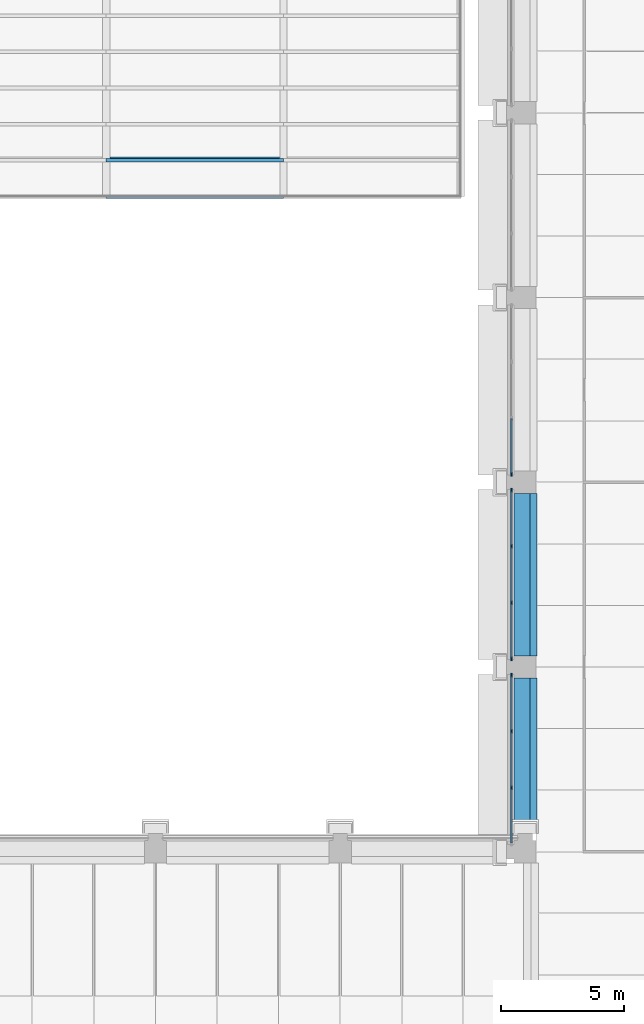
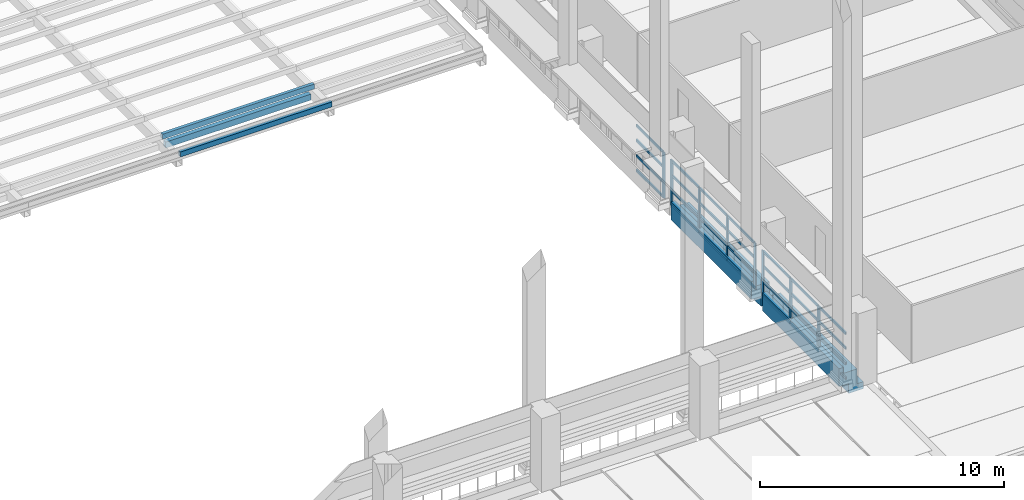
# One storey, part 22 of 67: 38 members, 3 beams, 3 elements without a shape of their own.
"""IFC4 building model written with IfcOpenShell, lengths in metres."""

from ifc_helpers import new_model, si_unit, direction, frame, origin, origin_2d, place, context, subcontext, project, spatial, polyline, rectangle, hollow_rectangle, outline, extrude, material, layer, layer_set, material_profile, profile_set, type_object, element, aggregate, save


model = new_model("IFC4")

# Units and contexts
model_context = context("Model", 3, precision=1e-05, world=origin(), true_north=direction((0.0, 1.0)))
body_context = subcontext(model_context, "Body", "Model", "MODEL_VIEW")
ifc_project = project(units=[si_unit("LENGTHUNIT", "METRE"), si_unit("AREAUNIT", "SQUARE_METRE"), si_unit("VOLUMEUNIT", "CUBIC_METRE"), si_unit("PLANEANGLEUNIT", "RADIAN"), si_unit("MASSUNIT", "GRAM", prefix="KILO")], contexts=[model_context])

# Site, building, storey
site_placement = place(None, origin())
site = spatial("IfcSite", under=ifc_project, at=site_placement, CompositionType="ELEMENT")
building_placement = place(site_placement, origin())
building = spatial("IfcBuilding", under=site, at=building_placement, Name="Cour d'Honneur Mobility Palace", CompositionType="ELEMENT")
storey_placement = place(building_placement, frame((0.0, 0.0, 4.5)))
storey = spatial("IfcBuildingStorey", under=building, at=storey_placement, Name="L01", CompositionType="ELEMENT", Elevation=4.5)

# Members
ifc_material_1 = material(Name="Steel S355", Category="steel")
ifc_material_profile_1 = material_profile(ifc_material_1, hollow_rectangle(XDim=0.14990234375, YDim=0.25, WallThickness=0.010009765625, at=origin_2d()), Name="RHS 250x150x10")
ifc_profile_set_1 = profile_set([ifc_material_profile_1], Name="Steel S355")
member_type_1 = type_object("IfcMemberType", Name="Canopy purlin RHS 250x150x10", PredefinedType="PURLIN", material=ifc_profile_set_1)
for number, where, z_axis, x_axis, name in (
    (1, (127.89990234375, 89.0, 1.125), (1.0, 0.0, 0.0), (0.0, 1.0, 0.0), "Canopy purlin FCP-E1.4"),
    (2, (127.89990234375, 90.46875, 1.125), (1.0, 0.0, 0.0), (0.0, 1.0, 0.0), "Canopy purlin FCP-E2.4"),
):
    element("IfcMember", number, at=place(storey_placement, frame(where, z_axis=z_axis, x_axis=x_axis)), inside=storey, type_object=member_type_1, Name=name, PredefinedType="PURLIN", context=body_context, shape_type="SweptSolid", body=[
        extrude(hollow_rectangle(XDim=0.14990234375, YDim=0.25, WallThickness=0.010009765625, at=origin_2d()), origin(), (0.0, 0.0, 1.0), 7.2001953125),
    ])

# Beam
ifc_material_2 = material(Name="Steel S355", Category="steel")
ifc_material_profile_2 = material_profile(ifc_material_2, hollow_rectangle(XDim=0.199951171875, YDim=0.300048828125, WallThickness=0.012451171875, at=origin_2d()), Name="RHS 300x200x12.5")
ifc_profile_set_2 = profile_set([ifc_material_profile_2], Name="Steel S355")
beam_type_1 = type_object("IfcBeamType", Name="Canopy tie beam RHS 300x200x12.5", PredefinedType="BEAM", material=ifc_profile_set_2)
beam_1_placement = place(storey_placement, frame((128.06201171875, 90.5, 0.64990234375), z_axis=(1.0, 0.0, 0.0), x_axis=(0.0, 1.0, 0.0)))
element("IfcBeam", 3, at=beam_1_placement, inside=storey, type_object=beam_type_1, Name="Canopy tie beam FCT-E1.4", PredefinedType="BEAM", context=body_context, shape_type="SweptSolid", body=[
    extrude(hollow_rectangle(XDim=0.199951171875, YDim=0.300048828125, WallThickness=0.012451171875, at=origin_2d()), origin(), (0.0, 0.0, 1.0), 6.8759765625),
])

# Curtain wall, member
ifc_material_3 = material(Name="Aluminium and glass", Category="aluminium")
ifc_layer = layer(ifc_material_3, 0.10009765625)
ifc_layer_set = layer_set([ifc_layer], Name="Aluminium and glass")
curtain_wall_type = type_object("IfcCurtainWallType", Name="Curtain wall run", PredefinedType="NOTDEFINED", material=ifc_layer_set)
curtain_wall_1_placement = place(storey_placement, origin())
curtain_wall_1 = element("IfcCurtainWall", 4, at=curtain_wall_1_placement, inside=storey, type_object=curtain_wall_type, Name="Curtain wall CW-48", PredefinedType="NOTDEFINED")
ifc_material_4 = material(Name="Aluminium", Category="aluminium")
ifc_material_profile_3 = material_profile(ifc_material_4, rectangle(XDim=0.06005859375, YDim=0.159912109375, at=origin_2d()), Name="Curtain wall mullion")
ifc_profile_set_3 = profile_set([ifc_material_profile_3], Name="Aluminium")
member_type_2 = type_object("IfcMemberType", Name="Curtain wall mullion", PredefinedType="MULLION", material=ifc_profile_set_3)
member_1_placement = place(storey_placement, frame((144.35009765625, 77.72998046875, 0.0), z_axis=(0.0, 0.0, 1.0), x_axis=(1.0, 0.0, 0.0)))
member_1 = element("IfcMember", 5, at=member_1_placement, type_object=member_type_2, Name="CW-48 mullion 4", PredefinedType="MULLION", context=body_context, shape_type="SweptSolid", body=[
    extrude(rectangle(XDim=0.06005859375, YDim=0.159912109375, at=origin_2d()), origin(), (0.0, 0.0, 1.0), 2.300048828125),
])

# Curtain wall, members
curtain_wall_2_placement = place(storey_placement, origin())
curtain_wall_2 = element("IfcCurtainWall", 6, at=curtain_wall_2_placement, inside=storey, type_object=curtain_wall_type, Name="Curtain wall CW-49", PredefinedType="NOTDEFINED")
member_2_placement = place(storey_placement, frame((144.35009765625, 77.070068359375, 0.0), z_axis=(0.0, 0.0, 1.0), x_axis=(1.0, 0.0, 0.0)))
member_2 = element("IfcMember", 7, at=member_2_placement, type_object=member_type_2, Name="CW-49 mullion 1", PredefinedType="MULLION", context=body_context, shape_type="SweptSolid", body=[
    extrude(rectangle(XDim=0.06005859375, YDim=0.159912109375, at=origin_2d()), origin(), (0.0, 0.0, 1.0), 2.300048828125),
])
member_3_placement = place(storey_placement, frame((144.35009765625, 74.800048828125, 0.0), z_axis=(0.0, 0.0, 1.0), x_axis=(1.0, 0.0, 0.0)))
member_3 = element("IfcMember", 8, at=member_3_placement, type_object=member_type_2, Name="CW-49 mullion 2", PredefinedType="MULLION", context=body_context, shape_type="SweptSolid", body=[
    extrude(rectangle(XDim=0.06005859375, YDim=0.159912109375, at=origin_2d()), origin(), (0.0, 0.0, 1.0), 2.300048828125),
])
member_4_placement = place(storey_placement, frame((144.35009765625, 72.5, 0.0), z_axis=(0.0, 0.0, 1.0), x_axis=(1.0, 0.0, 0.0)))
member_4 = element("IfcMember", 9, at=member_4_placement, type_object=member_type_2, Name="CW-49 mullion 3", PredefinedType="MULLION", context=body_context, shape_type="SweptSolid", body=[
    extrude(rectangle(XDim=0.06005859375, YDim=0.159912109375, at=origin_2d()), origin(), (0.0, 0.0, 1.0), 2.300048828125),
])
member_5_placement = place(storey_placement, frame((144.35009765625, 70.22998046875, 0.0), z_axis=(0.0, 0.0, 1.0), x_axis=(1.0, 0.0, 0.0)))
member_5 = element("IfcMember", 10, at=member_5_placement, type_object=member_type_2, Name="CW-49 mullion 4", PredefinedType="MULLION", context=body_context, shape_type="SweptSolid", body=[
    extrude(rectangle(XDim=0.06005859375, YDim=0.159912109375, at=origin_2d()), origin(), (0.0, 0.0, 1.0), 2.300048828125),
])

curtain_wall_3_placement = place(storey_placement, origin())
curtain_wall_3 = element("IfcCurtainWall", 11, at=curtain_wall_3_placement, inside=storey, type_object=curtain_wall_type, Name="Curtain wall CW-50", PredefinedType="NOTDEFINED")
member_6_placement = place(storey_placement, frame((144.35009765625, 69.570068359375, 0.0), z_axis=(0.0, 0.0, 1.0), x_axis=(1.0, 0.0, 0.0)))
member_6 = element("IfcMember", 12, at=member_6_placement, type_object=member_type_2, Name="CW-50 mullion 1", PredefinedType="MULLION", context=body_context, shape_type="SweptSolid", body=[
    extrude(rectangle(XDim=0.06005859375, YDim=0.159912109375, at=origin_2d()), origin(), (0.0, 0.0, 1.0), 2.300048828125),
])
member_7_placement = place(storey_placement, frame((144.35009765625, 67.300048828125, 0.0), z_axis=(0.0, 0.0, 1.0), x_axis=(1.0, 0.0, 0.0)))
member_7 = element("IfcMember", 13, at=member_7_placement, type_object=member_type_2, Name="CW-50 mullion 2", PredefinedType="MULLION", context=body_context, shape_type="SweptSolid", body=[
    extrude(rectangle(XDim=0.06005859375, YDim=0.159912109375, at=origin_2d()), origin(), (0.0, 0.0, 1.0), 2.300048828125),
])
member_8_placement = place(storey_placement, frame((144.35009765625, 65.0, 0.0), z_axis=(0.0, 0.0, 1.0), x_axis=(1.0, 0.0, 0.0)))
member_8 = element("IfcMember", 14, at=member_8_placement, type_object=member_type_2, Name="CW-50 mullion 3", PredefinedType="MULLION", context=body_context, shape_type="SweptSolid", body=[
    extrude(rectangle(XDim=0.06005859375, YDim=0.159912109375, at=origin_2d()), origin(), (0.0, 0.0, 1.0), 2.300048828125),
])

# Member
ifc_material_5 = material(Name="Aluminium", Category="aluminium")
ifc_material_profile_4 = material_profile(ifc_material_5, rectangle(XDim=0.06005859375, YDim=0.1201171875, at=origin_2d()), Name="Curtain wall transom")
ifc_profile_set_4 = profile_set([ifc_material_profile_4], Name="Aluminium")
member_type_3 = type_object("IfcMemberType", Name="Curtain wall transom", PredefinedType="USERDEFINED", material=ifc_profile_set_4)
member_9_placement = place(storey_placement, frame((144.35009765625, 79.969970703125, 0.030029296875), z_axis=(0.0, -1.0, 0.0), x_axis=(1.0, 0.0, 0.0)))
member_9 = element("IfcMember", 15, at=member_9_placement, type_object=member_type_3, Name="CW-48 transom 3.1", ObjectType="TRANSOM", PredefinedType="USERDEFINED", context=body_context, shape_type="SweptSolid", body=[
    extrude(rectangle(XDim=0.06005859375, YDim=0.1201171875, at=origin_2d()), origin(), (0.0, 0.0, 1.0), 2.2099609375),
])

member_10_placement = place(storey_placement, frame((144.35009765625, 79.969970703125, 0.7666015625), z_axis=(0.0, -1.0, 0.0), x_axis=(1.0, 0.0, 0.0)))
member_10 = element("IfcMember", 16, at=member_10_placement, type_object=member_type_3, Name="CW-48 transom 3.2", ObjectType="TRANSOM", PredefinedType="USERDEFINED", context=body_context, shape_type="SweptSolid", body=[
    extrude(rectangle(XDim=0.06005859375, YDim=0.1201171875, at=origin_2d()), origin(), (0.0, 0.0, 1.0), 2.2099609375),
])

member_11_placement = place(storey_placement, frame((144.35009765625, 79.969970703125, 1.533447265625), z_axis=(0.0, -1.0, 0.0), x_axis=(1.0, 0.0, 0.0)))
member_11 = element("IfcMember", 17, at=member_11_placement, type_object=member_type_3, Name="CW-48 transom 3.3", ObjectType="TRANSOM", PredefinedType="USERDEFINED", context=body_context, shape_type="SweptSolid", body=[
    extrude(rectangle(XDim=0.06005859375, YDim=0.1201171875, at=origin_2d()), origin(), (0.0, 0.0, 1.0), 2.2099609375),
])

member_12_placement = place(storey_placement, frame((144.35009765625, 79.969970703125, 2.27001953125), z_axis=(0.0, -1.0, 0.0), x_axis=(1.0, 0.0, 0.0)))
member_12 = element("IfcMember", 18, at=member_12_placement, type_object=member_type_3, Name="CW-48 transom 3.4", ObjectType="TRANSOM", PredefinedType="USERDEFINED", context=body_context, shape_type="SweptSolid", body=[
    extrude(rectangle(XDim=0.06005859375, YDim=0.1201171875, at=origin_2d()), origin(), (0.0, 0.0, 1.0), 2.2099609375),
])

aggregate(curtain_wall_1, [member_1, member_9, member_10, member_11, member_12])

member_13_placement = place(storey_placement, frame((144.35009765625, 77.0400390625, 0.030029296875), z_axis=(0.0, -1.0, 0.0), x_axis=(1.0, 0.0, 0.0)))
member_13 = element("IfcMember", 19, at=member_13_placement, type_object=member_type_3, Name="CW-49 transom 1.1", ObjectType="TRANSOM", PredefinedType="USERDEFINED", context=body_context, shape_type="SweptSolid", body=[
    extrude(rectangle(XDim=0.06005859375, YDim=0.1201171875, at=origin_2d()), origin(), (0.0, 0.0, 1.0), 2.2099609375),
])

member_14_placement = place(storey_placement, frame((144.35009765625, 77.0400390625, 0.7666015625), z_axis=(0.0, -1.0, 0.0), x_axis=(1.0, 0.0, 0.0)))
member_14 = element("IfcMember", 20, at=member_14_placement, type_object=member_type_3, Name="CW-49 transom 1.2", ObjectType="TRANSOM", PredefinedType="USERDEFINED", context=body_context, shape_type="SweptSolid", body=[
    extrude(rectangle(XDim=0.06005859375, YDim=0.1201171875, at=origin_2d()), origin(), (0.0, 0.0, 1.0), 2.2099609375),
])

member_15_placement = place(storey_placement, frame((144.35009765625, 77.0400390625, 1.533447265625), z_axis=(0.0, -1.0, 0.0), x_axis=(1.0, 0.0, 0.0)))
member_15 = element("IfcMember", 21, at=member_15_placement, type_object=member_type_3, Name="CW-49 transom 1.3", ObjectType="TRANSOM", PredefinedType="USERDEFINED", context=body_context, shape_type="SweptSolid", body=[
    extrude(rectangle(XDim=0.06005859375, YDim=0.1201171875, at=origin_2d()), origin(), (0.0, 0.0, 1.0), 2.2099609375),
])

member_16_placement = place(storey_placement, frame((144.35009765625, 77.0400390625, 2.27001953125), z_axis=(0.0, -1.0, 0.0), x_axis=(1.0, 0.0, 0.0)))
member_16 = element("IfcMember", 22, at=member_16_placement, type_object=member_type_3, Name="CW-49 transom 1.4", ObjectType="TRANSOM", PredefinedType="USERDEFINED", context=body_context, shape_type="SweptSolid", body=[
    extrude(rectangle(XDim=0.06005859375, YDim=0.1201171875, at=origin_2d()), origin(), (0.0, 0.0, 1.0), 2.2099609375),
])

member_17_placement = place(storey_placement, frame((144.35009765625, 74.77001953125, 0.030029296875), z_axis=(0.0, -1.0, 0.0), x_axis=(1.0, 0.0, 0.0)))
member_17 = element("IfcMember", 23, at=member_17_placement, type_object=member_type_3, Name="CW-49 transom 2.1", ObjectType="TRANSOM", PredefinedType="USERDEFINED", context=body_context, shape_type="SweptSolid", body=[
    extrude(rectangle(XDim=0.06005859375, YDim=0.1201171875, at=origin_2d()), origin(), (0.0, 0.0, 1.0), 2.239990234375),
])

member_18_placement = place(storey_placement, frame((144.35009765625, 74.77001953125, 0.7666015625), z_axis=(0.0, -1.0, 0.0), x_axis=(1.0, 0.0, 0.0)))
member_18 = element("IfcMember", 24, at=member_18_placement, type_object=member_type_3, Name="CW-49 transom 2.2", ObjectType="TRANSOM", PredefinedType="USERDEFINED", context=body_context, shape_type="SweptSolid", body=[
    extrude(rectangle(XDim=0.06005859375, YDim=0.1201171875, at=origin_2d()), origin(), (0.0, 0.0, 1.0), 2.239990234375),
])

member_19_placement = place(storey_placement, frame((144.35009765625, 74.77001953125, 1.533447265625), z_axis=(0.0, -1.0, 0.0), x_axis=(1.0, 0.0, 0.0)))
member_19 = element("IfcMember", 25, at=member_19_placement, type_object=member_type_3, Name="CW-49 transom 2.3", ObjectType="TRANSOM", PredefinedType="USERDEFINED", context=body_context, shape_type="SweptSolid", body=[
    extrude(rectangle(XDim=0.06005859375, YDim=0.1201171875, at=origin_2d()), origin(), (0.0, 0.0, 1.0), 2.239990234375),
])

member_20_placement = place(storey_placement, frame((144.35009765625, 74.77001953125, 2.27001953125), z_axis=(0.0, -1.0, 0.0), x_axis=(1.0, 0.0, 0.0)))
member_20 = element("IfcMember", 26, at=member_20_placement, type_object=member_type_3, Name="CW-49 transom 2.4", ObjectType="TRANSOM", PredefinedType="USERDEFINED", context=body_context, shape_type="SweptSolid", body=[
    extrude(rectangle(XDim=0.06005859375, YDim=0.1201171875, at=origin_2d()), origin(), (0.0, 0.0, 1.0), 2.239990234375),
])

member_21_placement = place(storey_placement, frame((144.35009765625, 72.469970703125, 0.030029296875), z_axis=(0.0, -1.0, 0.0), x_axis=(1.0, 0.0, 0.0)))
member_21 = element("IfcMember", 27, at=member_21_placement, type_object=member_type_3, Name="CW-49 transom 3.1", ObjectType="TRANSOM", PredefinedType="USERDEFINED", context=body_context, shape_type="SweptSolid", body=[
    extrude(rectangle(XDim=0.06005859375, YDim=0.1201171875, at=origin_2d()), origin(), (0.0, 0.0, 1.0), 2.2099609375),
])

member_22_placement = place(storey_placement, frame((144.35009765625, 72.469970703125, 0.7666015625), z_axis=(0.0, -1.0, 0.0), x_axis=(1.0, 0.0, 0.0)))
member_22 = element("IfcMember", 28, at=member_22_placement, type_object=member_type_3, Name="CW-49 transom 3.2", ObjectType="TRANSOM", PredefinedType="USERDEFINED", context=body_context, shape_type="SweptSolid", body=[
    extrude(rectangle(XDim=0.06005859375, YDim=0.1201171875, at=origin_2d()), origin(), (0.0, 0.0, 1.0), 2.2099609375),
])

member_23_placement = place(storey_placement, frame((144.35009765625, 72.469970703125, 1.533447265625), z_axis=(0.0, -1.0, 0.0), x_axis=(1.0, 0.0, 0.0)))
member_23 = element("IfcMember", 29, at=member_23_placement, type_object=member_type_3, Name="CW-49 transom 3.3", ObjectType="TRANSOM", PredefinedType="USERDEFINED", context=body_context, shape_type="SweptSolid", body=[
    extrude(rectangle(XDim=0.06005859375, YDim=0.1201171875, at=origin_2d()), origin(), (0.0, 0.0, 1.0), 2.2099609375),
])

member_24_placement = place(storey_placement, frame((144.35009765625, 72.469970703125, 2.27001953125), z_axis=(0.0, -1.0, 0.0), x_axis=(1.0, 0.0, 0.0)))
member_24 = element("IfcMember", 30, at=member_24_placement, type_object=member_type_3, Name="CW-49 transom 3.4", ObjectType="TRANSOM", PredefinedType="USERDEFINED", context=body_context, shape_type="SweptSolid", body=[
    extrude(rectangle(XDim=0.06005859375, YDim=0.1201171875, at=origin_2d()), origin(), (0.0, 0.0, 1.0), 2.2099609375),
])

aggregate(curtain_wall_2, [member_2, member_3, member_4, member_5, member_13, member_14, member_15, member_16, member_17, member_18, member_19, member_20, member_21, member_22, member_23, member_24])

member_25_placement = place(storey_placement, frame((144.35009765625, 69.5400390625, 0.030029296875), z_axis=(0.0, -1.0, 0.0), x_axis=(1.0, 0.0, 0.0)))
member_25 = element("IfcMember", 31, at=member_25_placement, type_object=member_type_3, Name="CW-50 transom 1.1", ObjectType="TRANSOM", PredefinedType="USERDEFINED", context=body_context, shape_type="SweptSolid", body=[
    extrude(rectangle(XDim=0.06005859375, YDim=0.1201171875, at=origin_2d()), origin(), (0.0, 0.0, 1.0), 2.2099609375),
])

member_26_placement = place(storey_placement, frame((144.35009765625, 69.5400390625, 0.7666015625), z_axis=(0.0, -1.0, 0.0), x_axis=(1.0, 0.0, 0.0)))
member_26 = element("IfcMember", 32, at=member_26_placement, type_object=member_type_3, Name="CW-50 transom 1.2", ObjectType="TRANSOM", PredefinedType="USERDEFINED", context=body_context, shape_type="SweptSolid", body=[
    extrude(rectangle(XDim=0.06005859375, YDim=0.1201171875, at=origin_2d()), origin(), (0.0, 0.0, 1.0), 2.2099609375),
])

member_27_placement = place(storey_placement, frame((144.35009765625, 69.5400390625, 1.533447265625), z_axis=(0.0, -1.0, 0.0), x_axis=(1.0, 0.0, 0.0)))
member_27 = element("IfcMember", 33, at=member_27_placement, type_object=member_type_3, Name="CW-50 transom 1.3", ObjectType="TRANSOM", PredefinedType="USERDEFINED", context=body_context, shape_type="SweptSolid", body=[
    extrude(rectangle(XDim=0.06005859375, YDim=0.1201171875, at=origin_2d()), origin(), (0.0, 0.0, 1.0), 2.2099609375),
])

member_28_placement = place(storey_placement, frame((144.35009765625, 69.5400390625, 2.27001953125), z_axis=(0.0, -1.0, 0.0), x_axis=(1.0, 0.0, 0.0)))
member_28 = element("IfcMember", 34, at=member_28_placement, type_object=member_type_3, Name="CW-50 transom 1.4", ObjectType="TRANSOM", PredefinedType="USERDEFINED", context=body_context, shape_type="SweptSolid", body=[
    extrude(rectangle(XDim=0.06005859375, YDim=0.1201171875, at=origin_2d()), origin(), (0.0, 0.0, 1.0), 2.2099609375),
])

member_29_placement = place(storey_placement, frame((144.35009765625, 67.27001953125, 0.030029296875), z_axis=(0.0, -1.0, 0.0), x_axis=(1.0, 0.0, 0.0)))
member_29 = element("IfcMember", 35, at=member_29_placement, type_object=member_type_3, Name="CW-50 transom 2.1", ObjectType="TRANSOM", PredefinedType="USERDEFINED", context=body_context, shape_type="SweptSolid", body=[
    extrude(rectangle(XDim=0.06005859375, YDim=0.1201171875, at=origin_2d()), origin(), (0.0, 0.0, 1.0), 2.239990234375),
])

member_30_placement = place(storey_placement, frame((144.35009765625, 67.27001953125, 0.7666015625), z_axis=(0.0, -1.0, 0.0), x_axis=(1.0, 0.0, 0.0)))
member_30 = element("IfcMember", 36, at=member_30_placement, type_object=member_type_3, Name="CW-50 transom 2.2", ObjectType="TRANSOM", PredefinedType="USERDEFINED", context=body_context, shape_type="SweptSolid", body=[
    extrude(rectangle(XDim=0.06005859375, YDim=0.1201171875, at=origin_2d()), origin(), (0.0, 0.0, 1.0), 2.239990234375),
])

member_31_placement = place(storey_placement, frame((144.35009765625, 67.27001953125, 1.533447265625), z_axis=(0.0, -1.0, 0.0), x_axis=(1.0, 0.0, 0.0)))
member_31 = element("IfcMember", 37, at=member_31_placement, type_object=member_type_3, Name="CW-50 transom 2.3", ObjectType="TRANSOM", PredefinedType="USERDEFINED", context=body_context, shape_type="SweptSolid", body=[
    extrude(rectangle(XDim=0.06005859375, YDim=0.1201171875, at=origin_2d()), origin(), (0.0, 0.0, 1.0), 2.239990234375),
])

member_32_placement = place(storey_placement, frame((144.35009765625, 67.27001953125, 2.27001953125), z_axis=(0.0, -1.0, 0.0), x_axis=(1.0, 0.0, 0.0)))
member_32 = element("IfcMember", 38, at=member_32_placement, type_object=member_type_3, Name="CW-50 transom 2.4", ObjectType="TRANSOM", PredefinedType="USERDEFINED", context=body_context, shape_type="SweptSolid", body=[
    extrude(rectangle(XDim=0.06005859375, YDim=0.1201171875, at=origin_2d()), origin(), (0.0, 0.0, 1.0), 2.239990234375),
])

member_33_placement = place(storey_placement, frame((144.35009765625, 64.969970703125, 0.030029296875), z_axis=(0.0, -1.0, 0.0), x_axis=(1.0, 0.0, 0.0)))
member_33 = element("IfcMember", 39, at=member_33_placement, type_object=member_type_3, Name="CW-50 transom 3.1", ObjectType="TRANSOM", PredefinedType="USERDEFINED", context=body_context, shape_type="SweptSolid", body=[
    extrude(rectangle(XDim=0.06005859375, YDim=0.1201171875, at=origin_2d()), origin(), (0.0, 0.0, 1.0), 2.2099609375),
])

member_34_placement = place(storey_placement, frame((144.35009765625, 64.969970703125, 0.7666015625), z_axis=(0.0, -1.0, 0.0), x_axis=(1.0, 0.0, 0.0)))
member_34 = element("IfcMember", 40, at=member_34_placement, type_object=member_type_3, Name="CW-50 transom 3.2", ObjectType="TRANSOM", PredefinedType="USERDEFINED", context=body_context, shape_type="SweptSolid", body=[
    extrude(rectangle(XDim=0.06005859375, YDim=0.1201171875, at=origin_2d()), origin(), (0.0, 0.0, 1.0), 2.2099609375),
])

member_35_placement = place(storey_placement, frame((144.35009765625, 64.969970703125, 1.533447265625), z_axis=(0.0, -1.0, 0.0), x_axis=(1.0, 0.0, 0.0)))
member_35 = element("IfcMember", 41, at=member_35_placement, type_object=member_type_3, Name="CW-50 transom 3.3", ObjectType="TRANSOM", PredefinedType="USERDEFINED", context=body_context, shape_type="SweptSolid", body=[
    extrude(rectangle(XDim=0.06005859375, YDim=0.1201171875, at=origin_2d()), origin(), (0.0, 0.0, 1.0), 2.2099609375),
])

member_36_placement = place(storey_placement, frame((144.35009765625, 64.969970703125, 2.27001953125), z_axis=(0.0, -1.0, 0.0), x_axis=(1.0, 0.0, 0.0)))
member_36 = element("IfcMember", 42, at=member_36_placement, type_object=member_type_3, Name="CW-50 transom 3.4", ObjectType="TRANSOM", PredefinedType="USERDEFINED", context=body_context, shape_type="SweptSolid", body=[
    extrude(rectangle(XDim=0.06005859375, YDim=0.1201171875, at=origin_2d()), origin(), (0.0, 0.0, 1.0), 2.2099609375),
])

aggregate(curtain_wall_3, [member_6, member_7, member_8, member_25, member_26, member_27, member_28, member_29, member_30, member_31, member_32, member_33, member_34, member_35, member_36])

# Beams
ifc_material_6 = material(Name="Concrete C45", Category="concrete")
ifc_material_profile_5 = material_profile(ifc_material_6, outline(polyline([(0.199951171875, -1.10009765625), (0.199951171875, -0.60009765625), (0.64990234375, -0.60009765625), (0.64990234375, 0.300048828125), (0.449951171875, 0.300048828125), (0.449951171875, 0.0), (0.199951171875, 0.0), (-0.199951171875, 0.0), (-0.199951171875, -0.75), (-0.5, -0.75), (-0.5, -1.10009765625), (0.199951171875, -1.10009765625)])), Name="Ledger Beam 400x1100 ledge right 350 facade left")
ifc_profile_set_5 = profile_set([ifc_material_profile_5], Name="Concrete C45")
beam_type_2 = type_object("IfcBeamType", Name="Ledger Beam 400x1100 ledge right 350 facade left", PredefinedType="BEAM", material=ifc_profile_set_5)
beam_2_placement = place(storey_placement, frame((144.89990234375, 63.14990234375, 0.0), z_axis=(0.0, 1.0, 0.0), x_axis=(-1.0, 0.0, 0.0)))
element("IfcBeam", 43, at=beam_2_placement, inside=storey, type_object=beam_type_2, Name="Precast beam B4 H-J L01", PredefinedType="BEAM", context=body_context, shape_type="SweptSolid", body=[
    extrude(outline(polyline([(0.199951171875, -1.10009765625), (0.199951171875, -0.60009765625), (0.64990234375, -0.60009765625), (0.64990234375, 0.300048828125), (0.449951171875, 0.300048828125), (0.449951171875, 0.0), (0.199951171875, 0.0), (-0.199951171875, 0.0), (-0.199951171875, -0.75), (-0.5, -0.75), (-0.5, -1.10009765625), (0.199951171875, -1.10009765625)])), origin(), (0.0, 0.0, 1.0), 6.300048828125),
])
beam_3_placement = place(storey_placement, frame((144.89990234375, 70.35009765625, 0.0), z_axis=(0.0, 1.0, 0.0), x_axis=(-1.0, 0.0, 0.0)))
element("IfcBeam", 44, at=beam_3_placement, inside=storey, type_object=beam_type_2, Name="Precast beam B4 J-K L01", PredefinedType="BEAM", context=body_context, shape_type="SweptSolid", body=[
    extrude(outline(polyline([(0.199951171875, -1.10009765625), (0.199951171875, -0.60009765625), (0.64990234375, -0.60009765625), (0.64990234375, 0.300048828125), (0.449951171875, 0.300048828125), (0.449951171875, 0.0), (0.199951171875, 0.0), (-0.199951171875, 0.0), (-0.199951171875, -0.75), (-0.5, -0.75), (-0.5, -1.10009765625), (0.199951171875, -1.10009765625)])), origin(), (0.0, 0.0, 1.0), 6.599853515625),
])

save(model, "model.ifc")
